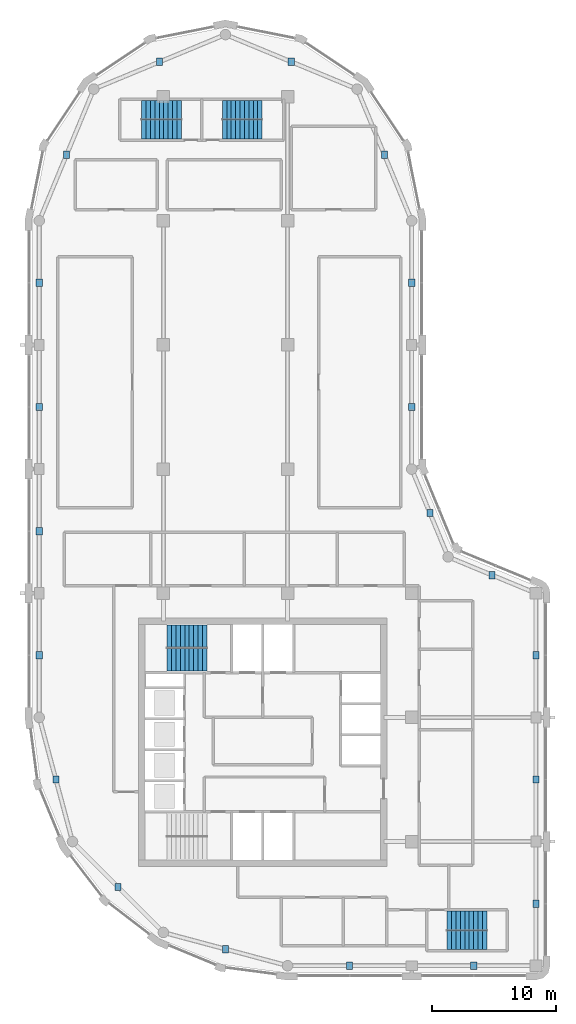
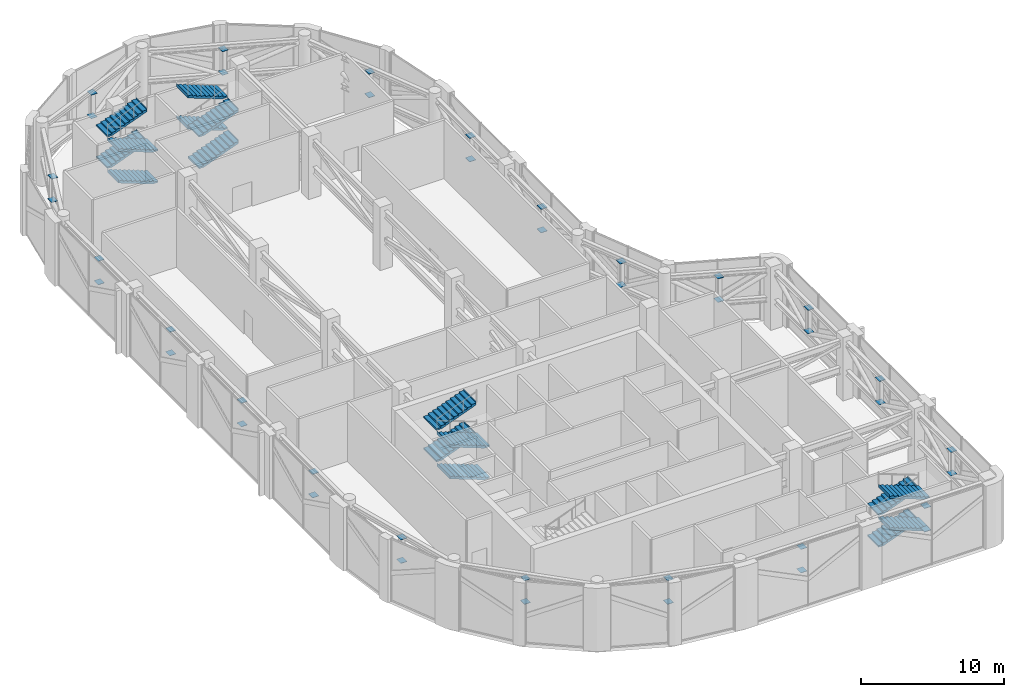
# One storey, part 16 of 18: 40 discrete accessories, 16 stair flights, 4 elements without a shape of their own.
"""IFC4 building model written with IfcOpenShell, lengths in metres."""

from ifc_helpers import new_model, si_unit, direction, frame, origin, origin_2d, place, context, subcontext, project, spatial, polyline, rectangle, outline, extrude, material, type_object, element, aggregate, save


model = new_model("IFC4")

# Units and contexts
model_context = context("Model", 3, precision=1e-05, world=origin(), true_north=direction((0.0, 1.0)))
body_context = subcontext(model_context, "Body", "Model", "MODEL_VIEW")
ifc_project = project(units=[si_unit("LENGTHUNIT", "METRE"), si_unit("AREAUNIT", "SQUARE_METRE"), si_unit("VOLUMEUNIT", "CUBIC_METRE"), si_unit("PLANEANGLEUNIT", "RADIAN"), si_unit("MASSUNIT", "GRAM", prefix="KILO")], contexts=[model_context])

# Site, building, storey
site_placement = place(None, origin())
site = spatial("IfcSite", under=ifc_project, at=site_placement, CompositionType="ELEMENT")
building_placement = place(site_placement, origin())
building = spatial("IfcBuilding", under=site, at=building_placement, Name="Qaws Garden Tower", CompositionType="ELEMENT")
storey_placement = place(building_placement, frame((0.0, 0.0, 352.800048828125)))
storey = spatial("IfcBuildingStorey", under=building, at=storey_placement, Name="L86", CompositionType="ELEMENT", Elevation=352.800048828125)

# Stair, stair flights
ifc_material_1 = material(Name="Concrete C40", Category="concrete")
stair_type_1 = type_object("IfcStairType", Name="Exit stair 1350", PredefinedType="HALF_TURN_STAIR", material=ifc_material_1)
placement = place(storey_placement, origin())
stair_1 = element("IfcStair", 1, at=placement, inside=storey, type_object=stair_type_1, Name="Stair 5", PredefinedType="HALF_TURN_STAIR")
ifc_material_2 = material(Name="Concrete C40", Category="concrete")
stair_flight_type_1 = type_object("IfcStairFlightType", Name="Stair flight 1350", PredefinedType="STRAIGHT", material=ifc_material_2)
stair_flight_1_placement = place(storey_placement, frame((32.85009765625, 3.625, 0.0), z_axis=(0.0, 0.0, 1.0), x_axis=(1.0, 0.0, 0.0)))
stair_flight_1 = element("IfcStairFlight", 2, at=stair_flight_1_placement, type_object=stair_flight_type_1, Name="ST5 flight 1", NumberOfRisers=10, NumberOfTreads=9, PredefinedType="STRAIGHT", RiserHeight=0.135, TreadLength=0.356, context=body_context, shape_type="SweptSolid", body=[
    extrude(outline(polyline([(-0.0029296875, 0.0), (-0.0029296875, 0.135009765625), (0.0, 0.135009765625), (0.35595703125, 0.135009765625), (0.35595703125, 0.27001953125), (0.7119140625, 0.27001953125), (0.7119140625, 0.405029296875), (1.068115234375, 0.405029296875), (1.068115234375, 0.5400390625), (1.424072265625, 0.5400390625), (1.424072265625, 0.675048828125), (1.780029296875, 0.675048828125), (1.780029296875, 0.81005859375), (2.135986328125, 0.81005859375), (2.135986328125, 0.945068359375), (2.491943359375, 0.945068359375), (2.491943359375, 1.080078125), (2.847900390625, 1.080078125), (2.847900390625, 1.215087890625), (3.2041015625, 1.215087890625), (3.2041015625, 1.35009765625), (3.20703125, 1.35009765625), (3.20703125, 1.0546875), (3.2041015625, 1.0546875), (0.4228515625, 0.0), (-0.0029296875, 0.0)])), frame((0.0, 0.77001953125, 0.0), z_axis=(0.0, -1.0, 0.0), x_axis=(1.0, 0.0, 0.0)), (0.0, 0.0, 1.0), 1.5400390625),
])
stair_flight_2_placement = place(storey_placement, frame((36.053955078125, 2.074951171875, 1.349853515625), z_axis=(0.0, 0.0, 1.0), x_axis=(-1.0, 0.0, 0.0)))
stair_flight_2 = element("IfcStairFlight", 3, at=stair_flight_2_placement, type_object=stair_flight_type_1, Name="ST5 flight 2", NumberOfRisers=10, NumberOfTreads=9, PredefinedType="STRAIGHT", RiserHeight=0.135, TreadLength=0.356, context=body_context, shape_type="SweptSolid", body=[
    extrude(outline(polyline([(-0.0029296875, 0.0), (-0.0029296875, 0.135009765625), (0.0, 0.135009765625), (0.35595703125, 0.135009765625), (0.35595703125, 0.27001953125), (0.7119140625, 0.27001953125), (0.7119140625, 0.405029296875), (1.068115234375, 0.405029296875), (1.068115234375, 0.5400390625), (1.424072265625, 0.5400390625), (1.424072265625, 0.675048828125), (1.780029296875, 0.675048828125), (1.780029296875, 0.81005859375), (2.135986328125, 0.81005859375), (2.135986328125, 0.945068359375), (2.491943359375, 0.945068359375), (2.491943359375, 1.080078125), (2.847900390625, 1.080078125), (2.847900390625, 1.215087890625), (3.2041015625, 1.215087890625), (3.2041015625, 1.35009765625), (3.20703125, 1.35009765625), (3.20703125, 1.0546875), (3.2041015625, 1.0546875), (0.4228515625, 0.0), (-0.0029296875, 0.0)])), frame((0.0, 0.77001953125, 0.0), z_axis=(0.0, -1.0, 0.0), x_axis=(1.0, 0.0, 0.0)), (0.0, 0.0, 1.0), 1.5400390625),
])
stair_flight_3_placement = place(storey_placement, frame((32.85009765625, 3.625, 2.699951171875), z_axis=(0.0, 0.0, 1.0), x_axis=(1.0, 0.0, 0.0)))
stair_flight_3 = element("IfcStairFlight", 4, at=stair_flight_3_placement, type_object=stair_flight_type_1, Name="ST5 flight 3", NumberOfRisers=10, NumberOfTreads=9, PredefinedType="STRAIGHT", RiserHeight=0.135, TreadLength=0.356, context=body_context, shape_type="SweptSolid", body=[
    extrude(outline(polyline([(-0.0029296875, 0.0), (-0.0029296875, 0.135009765625), (0.0, 0.135009765625), (0.35595703125, 0.135009765625), (0.35595703125, 0.27001953125), (0.7119140625, 0.27001953125), (0.7119140625, 0.405029296875), (1.068115234375, 0.405029296875), (1.068115234375, 0.5400390625), (1.424072265625, 0.5400390625), (1.424072265625, 0.675048828125), (1.780029296875, 0.675048828125), (1.780029296875, 0.81005859375), (2.135986328125, 0.81005859375), (2.135986328125, 0.945068359375), (2.491943359375, 0.945068359375), (2.491943359375, 1.080078125), (2.847900390625, 1.080078125), (2.847900390625, 1.215087890625), (3.2041015625, 1.215087890625), (3.2041015625, 1.35009765625), (3.20703125, 1.35009765625), (3.20703125, 1.0546875), (3.2041015625, 1.0546875), (0.4228515625, 0.0), (-0.0029296875, 0.0)])), frame((0.0, 0.77001953125, 0.0), z_axis=(0.0, -1.0, 0.0), x_axis=(1.0, 0.0, 0.0)), (0.0, 0.0, 1.0), 1.5400390625),
])
stair_flight_4_placement = place(storey_placement, frame((36.053955078125, 2.074951171875, 4.050048828125), z_axis=(0.0, 0.0, 1.0), x_axis=(-1.0, 0.0, 0.0)))
stair_flight_4 = element("IfcStairFlight", 5, at=stair_flight_4_placement, type_object=stair_flight_type_1, Name="ST5 flight 4", NumberOfRisers=10, NumberOfTreads=9, PredefinedType="STRAIGHT", RiserHeight=0.135, TreadLength=0.356, context=body_context, shape_type="SweptSolid", body=[
    extrude(outline(polyline([(-0.0029296875, 0.0), (-0.0029296875, 0.135009765625), (0.0, 0.135009765625), (0.35595703125, 0.135009765625), (0.35595703125, 0.27001953125), (0.7119140625, 0.27001953125), (0.7119140625, 0.405029296875), (1.068115234375, 0.405029296875), (1.068115234375, 0.5400390625), (1.424072265625, 0.5400390625), (1.424072265625, 0.675048828125), (1.780029296875, 0.675048828125), (1.780029296875, 0.81005859375), (2.135986328125, 0.81005859375), (2.135986328125, 0.945068359375), (2.491943359375, 0.945068359375), (2.491943359375, 1.080078125), (2.847900390625, 1.080078125), (2.847900390625, 1.215087890625), (3.2041015625, 1.215087890625), (3.2041015625, 1.35009765625), (3.20703125, 1.35009765625), (3.20703125, 1.0546875), (3.2041015625, 1.0546875), (0.4228515625, 0.0), (-0.0029296875, 0.0)])), frame((0.0, 0.77001953125, 0.0), z_axis=(0.0, -1.0, 0.0), x_axis=(1.0, 0.0, 0.0)), (0.0, 0.0, 1.0), 1.5400390625),
])
aggregate(stair_1, [stair_flight_1, stair_flight_2, stair_flight_3, stair_flight_4])

stair_2 = element("IfcStair", 6, at=placement, inside=storey, type_object=stair_type_1, Name="Stair 6", PredefinedType="HALF_TURN_STAIR")
stair_flight_5_placement = place(storey_placement, frame((11.449951171875, 67.375, 0.0), z_axis=(0.0, 0.0, 1.0), x_axis=(-1.0, 0.0, 0.0)))
stair_flight_5 = element("IfcStairFlight", 7, at=stair_flight_5_placement, type_object=stair_flight_type_1, Name="ST6 flight 1", NumberOfRisers=10, NumberOfTreads=9, PredefinedType="STRAIGHT", RiserHeight=0.135, TreadLength=0.356, context=body_context, shape_type="SweptSolid", body=[
    extrude(outline(polyline([(-0.0029296875, 0.0), (-0.0029296875, 0.135009765625), (0.0, 0.135009765625), (0.35595703125, 0.135009765625), (0.35595703125, 0.27001953125), (0.7119140625, 0.27001953125), (0.7119140625, 0.405029296875), (1.068115234375, 0.405029296875), (1.068115234375, 0.5400390625), (1.424072265625, 0.5400390625), (1.424072265625, 0.675048828125), (1.780029296875, 0.675048828125), (1.780029296875, 0.81005859375), (2.135986328125, 0.81005859375), (2.135986328125, 0.945068359375), (2.491943359375, 0.945068359375), (2.491943359375, 1.080078125), (2.847900390625, 1.080078125), (2.847900390625, 1.215087890625), (3.2041015625, 1.215087890625), (3.2041015625, 1.35009765625), (3.20703125, 1.35009765625), (3.20703125, 1.0546875), (3.2041015625, 1.0546875), (0.4228515625, 0.0), (-0.0029296875, 0.0)])), frame((0.0, 0.77490234375, 0.0), z_axis=(0.0, -1.0, 0.0), x_axis=(1.0, 0.0, 0.0)), (0.0, 0.0, 1.0), 1.550048828125),
])
stair_flight_6_placement = place(storey_placement, frame((8.24609375, 68.925048828125, 1.349853515625), z_axis=(0.0, 0.0, 1.0), x_axis=(1.0, 0.0, 0.0)))
stair_flight_6 = element("IfcStairFlight", 8, at=stair_flight_6_placement, type_object=stair_flight_type_1, Name="ST6 flight 2", NumberOfRisers=10, NumberOfTreads=9, PredefinedType="STRAIGHT", RiserHeight=0.135, TreadLength=0.356, context=body_context, shape_type="SweptSolid", body=[
    extrude(outline(polyline([(-0.0029296875, 0.0), (-0.0029296875, 0.135009765625), (0.0, 0.135009765625), (0.35595703125, 0.135009765625), (0.35595703125, 0.27001953125), (0.7119140625, 0.27001953125), (0.7119140625, 0.405029296875), (1.068115234375, 0.405029296875), (1.068115234375, 0.5400390625), (1.424072265625, 0.5400390625), (1.424072265625, 0.675048828125), (1.780029296875, 0.675048828125), (1.780029296875, 0.81005859375), (2.135986328125, 0.81005859375), (2.135986328125, 0.945068359375), (2.491943359375, 0.945068359375), (2.491943359375, 1.080078125), (2.847900390625, 1.080078125), (2.847900390625, 1.215087890625), (3.2041015625, 1.215087890625), (3.2041015625, 1.35009765625), (3.20703125, 1.35009765625), (3.20703125, 1.0546875), (3.2041015625, 1.0546875), (0.4228515625, 0.0), (-0.0029296875, 0.0)])), frame((0.0, 0.77490234375, 0.0), z_axis=(0.0, -1.0, 0.0), x_axis=(1.0, 0.0, 0.0)), (0.0, 0.0, 1.0), 1.550048828125),
])
stair_flight_7_placement = place(storey_placement, frame((11.449951171875, 67.375, 2.699951171875), z_axis=(0.0, 0.0, 1.0), x_axis=(-1.0, 0.0, 0.0)))
stair_flight_7 = element("IfcStairFlight", 9, at=stair_flight_7_placement, type_object=stair_flight_type_1, Name="ST6 flight 3", NumberOfRisers=10, NumberOfTreads=9, PredefinedType="STRAIGHT", RiserHeight=0.135, TreadLength=0.356, context=body_context, shape_type="SweptSolid", body=[
    extrude(outline(polyline([(-0.0029296875, 0.0), (-0.0029296875, 0.135009765625), (0.0, 0.135009765625), (0.35595703125, 0.135009765625), (0.35595703125, 0.27001953125), (0.7119140625, 0.27001953125), (0.7119140625, 0.405029296875), (1.068115234375, 0.405029296875), (1.068115234375, 0.5400390625), (1.424072265625, 0.5400390625), (1.424072265625, 0.675048828125), (1.780029296875, 0.675048828125), (1.780029296875, 0.81005859375), (2.135986328125, 0.81005859375), (2.135986328125, 0.945068359375), (2.491943359375, 0.945068359375), (2.491943359375, 1.080078125), (2.847900390625, 1.080078125), (2.847900390625, 1.215087890625), (3.2041015625, 1.215087890625), (3.2041015625, 1.35009765625), (3.20703125, 1.35009765625), (3.20703125, 1.0546875), (3.2041015625, 1.0546875), (0.4228515625, 0.0), (-0.0029296875, 0.0)])), frame((0.0, 0.77490234375, 0.0), z_axis=(0.0, -1.0, 0.0), x_axis=(1.0, 0.0, 0.0)), (0.0, 0.0, 1.0), 1.550048828125),
])
stair_flight_8_placement = place(storey_placement, frame((8.24609375, 68.925048828125, 4.050048828125), z_axis=(0.0, 0.0, 1.0), x_axis=(1.0, 0.0, 0.0)))
stair_flight_8 = element("IfcStairFlight", 10, at=stair_flight_8_placement, type_object=stair_flight_type_1, Name="ST6 flight 4", NumberOfRisers=10, NumberOfTreads=9, PredefinedType="STRAIGHT", RiserHeight=0.135, TreadLength=0.356, context=body_context, shape_type="SweptSolid", body=[
    extrude(outline(polyline([(-0.0029296875, 0.0), (-0.0029296875, 0.135009765625), (0.0, 0.135009765625), (0.35595703125, 0.135009765625), (0.35595703125, 0.27001953125), (0.7119140625, 0.27001953125), (0.7119140625, 0.405029296875), (1.068115234375, 0.405029296875), (1.068115234375, 0.5400390625), (1.424072265625, 0.5400390625), (1.424072265625, 0.675048828125), (1.780029296875, 0.675048828125), (1.780029296875, 0.81005859375), (2.135986328125, 0.81005859375), (2.135986328125, 0.945068359375), (2.491943359375, 0.945068359375), (2.491943359375, 1.080078125), (2.847900390625, 1.080078125), (2.847900390625, 1.215087890625), (3.2041015625, 1.215087890625), (3.2041015625, 1.35009765625), (3.20703125, 1.35009765625), (3.20703125, 1.0546875), (3.2041015625, 1.0546875), (0.4228515625, 0.0), (-0.0029296875, 0.0)])), frame((0.0, 0.77490234375, 0.0), z_axis=(0.0, -1.0, 0.0), x_axis=(1.0, 0.0, 0.0)), (0.0, 0.0, 1.0), 1.550048828125),
])
aggregate(stair_2, [stair_flight_5, stair_flight_6, stair_flight_7, stair_flight_8])

stair_3 = element("IfcStair", 11, at=placement, inside=storey, type_object=stair_type_1, Name="Stair 7", PredefinedType="HALF_TURN_STAIR")
stair_flight_9_placement = place(storey_placement, frame((14.75, 67.375, 0.0), z_axis=(0.0, 0.0, 1.0), x_axis=(1.0, 0.0, 0.0)))
stair_flight_9 = element("IfcStairFlight", 12, at=stair_flight_9_placement, type_object=stair_flight_type_1, Name="ST7 flight 1", NumberOfRisers=10, NumberOfTreads=9, PredefinedType="STRAIGHT", RiserHeight=0.135, TreadLength=0.356, context=body_context, shape_type="SweptSolid", body=[
    extrude(outline(polyline([(-0.0029296875, 0.0), (-0.0029296875, 0.135009765625), (0.0, 0.135009765625), (0.35595703125, 0.135009765625), (0.35595703125, 0.27001953125), (0.7119140625, 0.27001953125), (0.7119140625, 0.405029296875), (1.068115234375, 0.405029296875), (1.068115234375, 0.5400390625), (1.424072265625, 0.5400390625), (1.424072265625, 0.675048828125), (1.780029296875, 0.675048828125), (1.780029296875, 0.81005859375), (2.135986328125, 0.81005859375), (2.135986328125, 0.945068359375), (2.491943359375, 0.945068359375), (2.491943359375, 1.080078125), (2.847900390625, 1.080078125), (2.847900390625, 1.215087890625), (3.2041015625, 1.215087890625), (3.2041015625, 1.35009765625), (3.20703125, 1.35009765625), (3.20703125, 1.0546875), (3.2041015625, 1.0546875), (0.4228515625, 0.0), (-0.0029296875, 0.0)])), frame((0.0, 0.77490234375, 0.0), z_axis=(0.0, -1.0, 0.0), x_axis=(1.0, 0.0, 0.0)), (0.0, 0.0, 1.0), 1.550048828125),
])
stair_flight_10_placement = place(storey_placement, frame((17.9541015625, 68.925048828125, 1.349853515625), z_axis=(0.0, 0.0, 1.0), x_axis=(-1.0, 0.0, 0.0)))
stair_flight_10 = element("IfcStairFlight", 13, at=stair_flight_10_placement, type_object=stair_flight_type_1, Name="ST7 flight 2", NumberOfRisers=10, NumberOfTreads=9, PredefinedType="STRAIGHT", RiserHeight=0.135, TreadLength=0.356, context=body_context, shape_type="SweptSolid", body=[
    extrude(outline(polyline([(-0.0029296875, 0.0), (-0.0029296875, 0.135009765625), (0.0, 0.135009765625), (0.35595703125, 0.135009765625), (0.35595703125, 0.27001953125), (0.7119140625, 0.27001953125), (0.7119140625, 0.405029296875), (1.068115234375, 0.405029296875), (1.068115234375, 0.5400390625), (1.424072265625, 0.5400390625), (1.424072265625, 0.675048828125), (1.780029296875, 0.675048828125), (1.780029296875, 0.81005859375), (2.135986328125, 0.81005859375), (2.135986328125, 0.945068359375), (2.491943359375, 0.945068359375), (2.491943359375, 1.080078125), (2.847900390625, 1.080078125), (2.847900390625, 1.215087890625), (3.2041015625, 1.215087890625), (3.2041015625, 1.35009765625), (3.20703125, 1.35009765625), (3.20703125, 1.0546875), (3.2041015625, 1.0546875), (0.4228515625, 0.0), (-0.0029296875, 0.0)])), frame((0.0, 0.77490234375, 0.0), z_axis=(0.0, -1.0, 0.0), x_axis=(1.0, 0.0, 0.0)), (0.0, 0.0, 1.0), 1.550048828125),
])
stair_flight_11_placement = place(storey_placement, frame((14.75, 67.375, 2.699951171875), z_axis=(0.0, 0.0, 1.0), x_axis=(1.0, 0.0, 0.0)))
stair_flight_11 = element("IfcStairFlight", 14, at=stair_flight_11_placement, type_object=stair_flight_type_1, Name="ST7 flight 3", NumberOfRisers=10, NumberOfTreads=9, PredefinedType="STRAIGHT", RiserHeight=0.135, TreadLength=0.356, context=body_context, shape_type="SweptSolid", body=[
    extrude(outline(polyline([(-0.0029296875, 0.0), (-0.0029296875, 0.135009765625), (0.0, 0.135009765625), (0.35595703125, 0.135009765625), (0.35595703125, 0.27001953125), (0.7119140625, 0.27001953125), (0.7119140625, 0.405029296875), (1.068115234375, 0.405029296875), (1.068115234375, 0.5400390625), (1.424072265625, 0.5400390625), (1.424072265625, 0.675048828125), (1.780029296875, 0.675048828125), (1.780029296875, 0.81005859375), (2.135986328125, 0.81005859375), (2.135986328125, 0.945068359375), (2.491943359375, 0.945068359375), (2.491943359375, 1.080078125), (2.847900390625, 1.080078125), (2.847900390625, 1.215087890625), (3.2041015625, 1.215087890625), (3.2041015625, 1.35009765625), (3.20703125, 1.35009765625), (3.20703125, 1.0546875), (3.2041015625, 1.0546875), (0.4228515625, 0.0), (-0.0029296875, 0.0)])), frame((0.0, 0.77490234375, 0.0), z_axis=(0.0, -1.0, 0.0), x_axis=(1.0, 0.0, 0.0)), (0.0, 0.0, 1.0), 1.550048828125),
])
stair_flight_12_placement = place(storey_placement, frame((17.9541015625, 68.925048828125, 4.050048828125), z_axis=(0.0, 0.0, 1.0), x_axis=(-1.0, 0.0, 0.0)))
stair_flight_12 = element("IfcStairFlight", 15, at=stair_flight_12_placement, type_object=stair_flight_type_1, Name="ST7 flight 4", NumberOfRisers=10, NumberOfTreads=9, PredefinedType="STRAIGHT", RiserHeight=0.135, TreadLength=0.356, context=body_context, shape_type="SweptSolid", body=[
    extrude(outline(polyline([(-0.0029296875, 0.0), (-0.0029296875, 0.135009765625), (0.0, 0.135009765625), (0.35595703125, 0.135009765625), (0.35595703125, 0.27001953125), (0.7119140625, 0.27001953125), (0.7119140625, 0.405029296875), (1.068115234375, 0.405029296875), (1.068115234375, 0.5400390625), (1.424072265625, 0.5400390625), (1.424072265625, 0.675048828125), (1.780029296875, 0.675048828125), (1.780029296875, 0.81005859375), (2.135986328125, 0.81005859375), (2.135986328125, 0.945068359375), (2.491943359375, 0.945068359375), (2.491943359375, 1.080078125), (2.847900390625, 1.080078125), (2.847900390625, 1.215087890625), (3.2041015625, 1.215087890625), (3.2041015625, 1.35009765625), (3.20703125, 1.35009765625), (3.20703125, 1.0546875), (3.2041015625, 1.0546875), (0.4228515625, 0.0), (-0.0029296875, 0.0)])), frame((0.0, 0.77490234375, 0.0), z_axis=(0.0, -1.0, 0.0), x_axis=(1.0, 0.0, 0.0)), (0.0, 0.0, 1.0), 1.550048828125),
])
aggregate(stair_3, [stair_flight_9, stair_flight_10, stair_flight_11, stair_flight_12])

ifc_material_3 = material(Name="Concrete C40", Category="concrete")
stair_type_2 = type_object("IfcStairType", Name="Exit stair 1500", PredefinedType="HALF_TURN_STAIR", material=ifc_material_3)
stair_4 = element("IfcStair", 16, at=placement, inside=storey, type_object=stair_type_2, Name="Stair 4", PredefinedType="HALF_TURN_STAIR")
ifc_material_4 = material(Name="Concrete C40", Category="concrete")
stair_flight_type_2 = type_object("IfcStairFlightType", Name="Stair flight 1500", PredefinedType="STRAIGHT", material=ifc_material_4)
stair_flight_13_placement = place(storey_placement, frame((13.5, 24.64990234375, 0.0), z_axis=(0.0, 0.0, 1.0), x_axis=(-1.0, 0.0, 0.0)))
stair_flight_13 = element("IfcStairFlight", 17, at=stair_flight_13_placement, type_object=stair_flight_type_2, Name="ST4 flight 1", NumberOfRisers=10, NumberOfTreads=9, PredefinedType="STRAIGHT", RiserHeight=0.135, TreadLength=0.356, context=body_context, shape_type="SweptSolid", body=[
    extrude(outline(polyline([(-0.0029296875, 0.0), (-0.0029296875, 0.135009765625), (0.0, 0.135009765625), (0.35595703125, 0.135009765625), (0.35595703125, 0.27001953125), (0.7119140625, 0.27001953125), (0.7119140625, 0.405029296875), (1.068115234375, 0.405029296875), (1.068115234375, 0.5400390625), (1.424072265625, 0.5400390625), (1.424072265625, 0.675048828125), (1.780029296875, 0.675048828125), (1.780029296875, 0.81005859375), (2.135986328125, 0.81005859375), (2.135986328125, 0.945068359375), (2.491943359375, 0.945068359375), (2.491943359375, 1.080078125), (2.847900390625, 1.080078125), (2.847900390625, 1.215087890625), (3.2041015625, 1.215087890625), (3.2041015625, 1.35009765625), (3.20703125, 1.35009765625), (3.20703125, 1.0546875), (3.2041015625, 1.0546875), (0.4228515625, 0.0), (-0.0029296875, 0.0)])), frame((0.0, 0.89501953125, 0.0), z_axis=(0.0, -1.0, 0.0), x_axis=(1.0, 0.0, 0.0)), (0.0, 0.0, 1.0), 1.7900390625),
])
stair_flight_14_placement = place(storey_placement, frame((10.2958984375, 26.550048828125, 1.349853515625), z_axis=(0.0, 0.0, 1.0), x_axis=(1.0, 0.0, 0.0)))
stair_flight_14 = element("IfcStairFlight", 18, at=stair_flight_14_placement, type_object=stair_flight_type_2, Name="ST4 flight 2", NumberOfRisers=10, NumberOfTreads=9, PredefinedType="STRAIGHT", RiserHeight=0.135, TreadLength=0.356, context=body_context, shape_type="SweptSolid", body=[
    extrude(outline(polyline([(-0.0029296875, 0.0), (-0.0029296875, 0.135009765625), (0.0, 0.135009765625), (0.35595703125, 0.135009765625), (0.35595703125, 0.27001953125), (0.7119140625, 0.27001953125), (0.7119140625, 0.405029296875), (1.068115234375, 0.405029296875), (1.068115234375, 0.5400390625), (1.424072265625, 0.5400390625), (1.424072265625, 0.675048828125), (1.780029296875, 0.675048828125), (1.780029296875, 0.81005859375), (2.135986328125, 0.81005859375), (2.135986328125, 0.945068359375), (2.491943359375, 0.945068359375), (2.491943359375, 1.080078125), (2.847900390625, 1.080078125), (2.847900390625, 1.215087890625), (3.2041015625, 1.215087890625), (3.2041015625, 1.35009765625), (3.20703125, 1.35009765625), (3.20703125, 1.0546875), (3.2041015625, 1.0546875), (0.4228515625, 0.0), (-0.0029296875, 0.0)])), frame((0.0, 0.89501953125, 0.0), z_axis=(0.0, -1.0, 0.0), x_axis=(1.0, 0.0, 0.0)), (0.0, 0.0, 1.0), 1.7900390625),
])
stair_flight_15_placement = place(storey_placement, frame((13.5, 24.64990234375, 2.699951171875), z_axis=(0.0, 0.0, 1.0), x_axis=(-1.0, 0.0, 0.0)))
stair_flight_15 = element("IfcStairFlight", 19, at=stair_flight_15_placement, type_object=stair_flight_type_2, Name="ST4 flight 3", NumberOfRisers=10, NumberOfTreads=9, PredefinedType="STRAIGHT", RiserHeight=0.135, TreadLength=0.356, context=body_context, shape_type="SweptSolid", body=[
    extrude(outline(polyline([(-0.0029296875, 0.0), (-0.0029296875, 0.135009765625), (0.0, 0.135009765625), (0.35595703125, 0.135009765625), (0.35595703125, 0.27001953125), (0.7119140625, 0.27001953125), (0.7119140625, 0.405029296875), (1.068115234375, 0.405029296875), (1.068115234375, 0.5400390625), (1.424072265625, 0.5400390625), (1.424072265625, 0.675048828125), (1.780029296875, 0.675048828125), (1.780029296875, 0.81005859375), (2.135986328125, 0.81005859375), (2.135986328125, 0.945068359375), (2.491943359375, 0.945068359375), (2.491943359375, 1.080078125), (2.847900390625, 1.080078125), (2.847900390625, 1.215087890625), (3.2041015625, 1.215087890625), (3.2041015625, 1.35009765625), (3.20703125, 1.35009765625), (3.20703125, 1.0546875), (3.2041015625, 1.0546875), (0.4228515625, 0.0), (-0.0029296875, 0.0)])), frame((0.0, 0.89501953125, 0.0), z_axis=(0.0, -1.0, 0.0), x_axis=(1.0, 0.0, 0.0)), (0.0, 0.0, 1.0), 1.7900390625),
])
stair_flight_16_placement = place(storey_placement, frame((10.2958984375, 26.550048828125, 4.050048828125), z_axis=(0.0, 0.0, 1.0), x_axis=(1.0, 0.0, 0.0)))
stair_flight_16 = element("IfcStairFlight", 20, at=stair_flight_16_placement, type_object=stair_flight_type_2, Name="ST4 flight 4", NumberOfRisers=10, NumberOfTreads=9, PredefinedType="STRAIGHT", RiserHeight=0.135, TreadLength=0.356, context=body_context, shape_type="SweptSolid", body=[
    extrude(outline(polyline([(-0.0029296875, 0.0), (-0.0029296875, 0.135009765625), (0.0, 0.135009765625), (0.35595703125, 0.135009765625), (0.35595703125, 0.27001953125), (0.7119140625, 0.27001953125), (0.7119140625, 0.405029296875), (1.068115234375, 0.405029296875), (1.068115234375, 0.5400390625), (1.424072265625, 0.5400390625), (1.424072265625, 0.675048828125), (1.780029296875, 0.675048828125), (1.780029296875, 0.81005859375), (2.135986328125, 0.81005859375), (2.135986328125, 0.945068359375), (2.491943359375, 0.945068359375), (2.491943359375, 1.080078125), (2.847900390625, 1.080078125), (2.847900390625, 1.215087890625), (3.2041015625, 1.215087890625), (3.2041015625, 1.35009765625), (3.20703125, 1.35009765625), (3.20703125, 1.0546875), (3.2041015625, 1.0546875), (0.4228515625, 0.0), (-0.0029296875, 0.0)])), frame((0.0, 0.89501953125, 0.0), z_axis=(0.0, -1.0, 0.0), x_axis=(1.0, 0.0, 0.0)), (0.0, 0.0, 1.0), 1.7900390625),
])
aggregate(stair_4, [stair_flight_13, stair_flight_14, stair_flight_15, stair_flight_16])

# Discrete accessories
ifc_material_5 = material(Name="Steel S355", Category="steel")
discrete_accessory_type = type_object("IfcDiscreteAccessoryType", Name="Belt post end plate 30", PredefinedType="USERDEFINED", material=ifc_material_5)
for number, where, z_axis, x_axis, name in (
    (21, (25.0, 0.0, 2.53173828125), (0.0, 0.0, 1.0), (1.0, 0.0, 0.0), "Belt truss post 1 end plate bottom"),
    (22, (25.0, 0.0, 4.5380859375), (0.0, 0.0, 1.0), (1.0, 0.0, 0.0), "Belt truss post 1 end plate top"),
    (23, (35.0, 0.0, 2.53173828125), (0.0, 0.0, 1.0), (1.0, 0.0, 0.0), "Belt truss post 2 end plate bottom"),
    (24, (35.0, 0.0, 4.5380859375), (0.0, 0.0, 1.0), (1.0, 0.0, 0.0), "Belt truss post 2 end plate top"),
    (25, (40.0, 5.0, 2.53173828125), (0.0, 0.0, 1.0), (1.0, 0.0, 0.0), "Belt truss post 3 end plate bottom"),
    (26, (40.0, 5.0, 4.5380859375), (0.0, 0.0, 1.0), (1.0, 0.0, 0.0), "Belt truss post 3 end plate top"),
    (27, (40.0, 15.0, 2.53173828125), (0.0, 0.0, 1.0), (1.0, 0.0, 0.0), "Belt truss post 4 end plate bottom"),
    (28, (40.0, 15.0, 4.5380859375), (0.0, 0.0, 1.0), (1.0, 0.0, 0.0), "Belt truss post 4 end plate top"),
    (29, (40.0, 25.0, 2.53173828125), (0.0, 0.0, 1.0), (1.0, 0.0, 0.0), "Belt truss post 5 end plate bottom"),
    (30, (40.0, 25.0, 4.5380859375), (0.0, 0.0, 1.0), (1.0, 0.0, 0.0), "Belt truss post 5 end plate top"),
    (31, (36.46435546875, 31.46435546875, 2.53173828125), (0.0, 0.0, 1.0), (1.0, 0.0, 0.0), "Belt truss post 6 end plate bottom"),
    (32, (36.46435546875, 31.46435546875, 4.5380859375), (0.0, 0.0, 1.0), (1.0, 0.0, 0.0), "Belt truss post 6 end plate top"),
    (33, (31.46435546875, 36.46435546875, 2.53173828125), (0.0, 0.0, 1.0), (1.0, 0.0, 0.0), "Belt truss post 7 end plate bottom"),
    (34, (31.46435546875, 36.46435546875, 4.5380859375), (0.0, 0.0, 1.0), (1.0, 0.0, 0.0), "Belt truss post 7 end plate top"),
    (35, (30.0, 45.0, 2.53173828125), (0.0, 0.0, 1.0), (1.0, 0.0, 0.0), "Belt truss post 8 end plate bottom"),
    (36, (30.0, 45.0, 4.5380859375), (0.0, 0.0, 1.0), (1.0, 0.0, 0.0), "Belt truss post 8 end plate top"),
    (37, (30.0, 55.0, 2.53173828125), (0.0, 0.0, 1.0), (1.0, 0.0, 0.0), "Belt truss post 9 end plate bottom"),
    (38, (30.0, 55.0, 4.5380859375), (0.0, 0.0, 1.0), (1.0, 0.0, 0.0), "Belt truss post 9 end plate top"),
    (39, (27.80322265625, 65.30322265625, 2.53173828125), (0.0, 0.0, 1.0), (1.0, 0.0, 0.0), "Belt truss post 10 end plate bottom"),
    (40, (27.80322265625, 65.30322265625, 4.5380859375), (0.0, 0.0, 1.0), (1.0, 0.0, 0.0), "Belt truss post 10 end plate top"),
    (41, (20.30322265625, 72.80322265625, 2.53173828125), (0.0, 0.0, 1.0), (1.0, 0.0, 0.0), "Belt truss post 11 end plate bottom"),
    (42, (20.30322265625, 72.80322265625, 4.5380859375), (0.0, 0.0, 1.0), (1.0, 0.0, 0.0), "Belt truss post 11 end plate top"),
    (43, (9.69677734375, 72.80322265625, 2.53173828125), (0.0, 0.0, 1.0), (1.0, 0.0, 0.0), "Belt truss post 12 end plate bottom"),
    (44, (9.69677734375, 72.80322265625, 4.5380859375), (0.0, 0.0, 1.0), (1.0, 0.0, 0.0), "Belt truss post 12 end plate top"),
    (45, (2.19677734375, 65.30322265625, 2.53173828125), (0.0, 0.0, 1.0), (1.0, 0.0, 0.0), "Belt truss post 13 end plate bottom"),
    (46, (2.19677734375, 65.30322265625, 4.5380859375), (0.0, 0.0, 1.0), (1.0, 0.0, 0.0), "Belt truss post 13 end plate top"),
    (47, (0.0, 55.0, 2.53173828125), (0.0, 0.0, 1.0), (1.0, 0.0, 0.0), "Belt truss post 14 end plate bottom"),
    (48, (0.0, 55.0, 4.5380859375), (0.0, 0.0, 1.0), (1.0, 0.0, 0.0), "Belt truss post 14 end plate top"),
    (49, (0.0, 45.0, 2.53173828125), (0.0, 0.0, 1.0), (1.0, 0.0, 0.0), "Belt truss post 15 end plate bottom"),
    (50, (0.0, 45.0, 4.5380859375), (0.0, 0.0, 1.0), (1.0, 0.0, 0.0), "Belt truss post 15 end plate top"),
    (51, (0.0, 35.0, 2.53173828125), (0.0, 0.0, 1.0), (1.0, 0.0, 0.0), "Belt truss post 16 end plate bottom"),
    (52, (0.0, 35.0, 4.5380859375), (0.0, 0.0, 1.0), (1.0, 0.0, 0.0), "Belt truss post 16 end plate top"),
    (53, (0.0, 25.0, 2.53173828125), (0.0, 0.0, 1.0), (1.0, 0.0, 0.0), "Belt truss post 17 end plate bottom"),
    (54, (0.0, 25.0, 4.5380859375), (0.0, 0.0, 1.0), (1.0, 0.0, 0.0), "Belt truss post 17 end plate top"),
    (55, (1.339599609375, 15.0, 2.53173828125), (0.0, 0.0, 1.0), (1.0, 0.0, 0.0), "Belt truss post 18 end plate bottom"),
    (56, (1.339599609375, 15.0, 4.5380859375), (0.0, 0.0, 1.0), (1.0, 0.0, 0.0), "Belt truss post 18 end plate top"),
    (57, (6.33984375, 6.33984375, 2.53173828125), (0.0, 0.0, 1.0), (1.0, 0.0, 0.0), "Belt truss post 19 end plate bottom"),
    (58, (6.33984375, 6.33984375, 4.5380859375), (0.0, 0.0, 1.0), (1.0, 0.0, 0.0), "Belt truss post 19 end plate top"),
    (59, (15.0, 1.339599609375, 2.53173828125), (0.0, 0.0, 1.0), (1.0, 0.0, 0.0), "Belt truss post 20 end plate bottom"),
    (60, (15.0, 1.339599609375, 4.5380859375), (0.0, 0.0, 1.0), (1.0, 0.0, 0.0), "Belt truss post 20 end plate top"),
):
    element("IfcDiscreteAccessory", number, at=place(storey_placement, frame(where, z_axis=z_axis, x_axis=x_axis)), inside=storey, type_object=discrete_accessory_type, Name=name, ObjectType="End plate", PredefinedType="USERDEFINED", context=body_context, shape_type="SweptSolid", body=[
        extrude(rectangle(XDim=0.5, YDim=0.60009765625, at=origin_2d()), origin(), (0.0, 0.0, 1.0), 0.030029296875),
    ])

save(model, "model.ifc")
